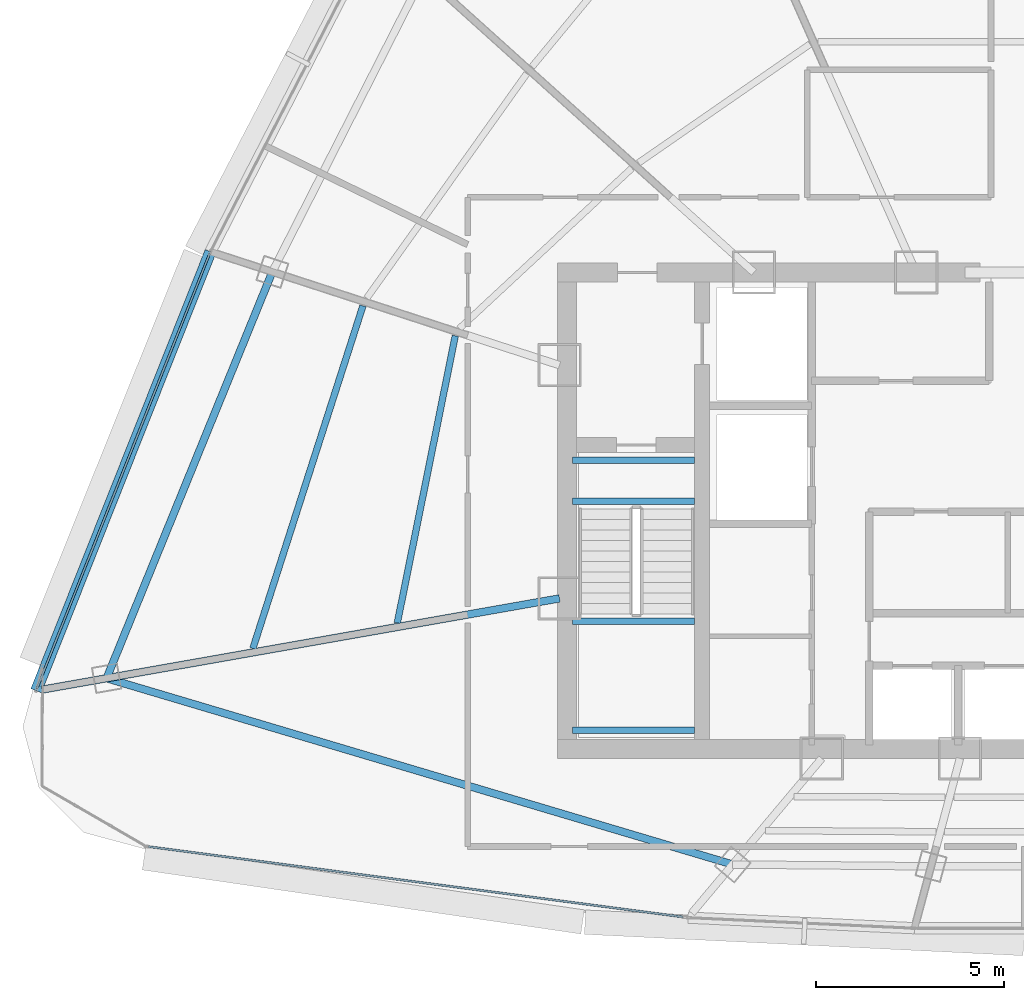
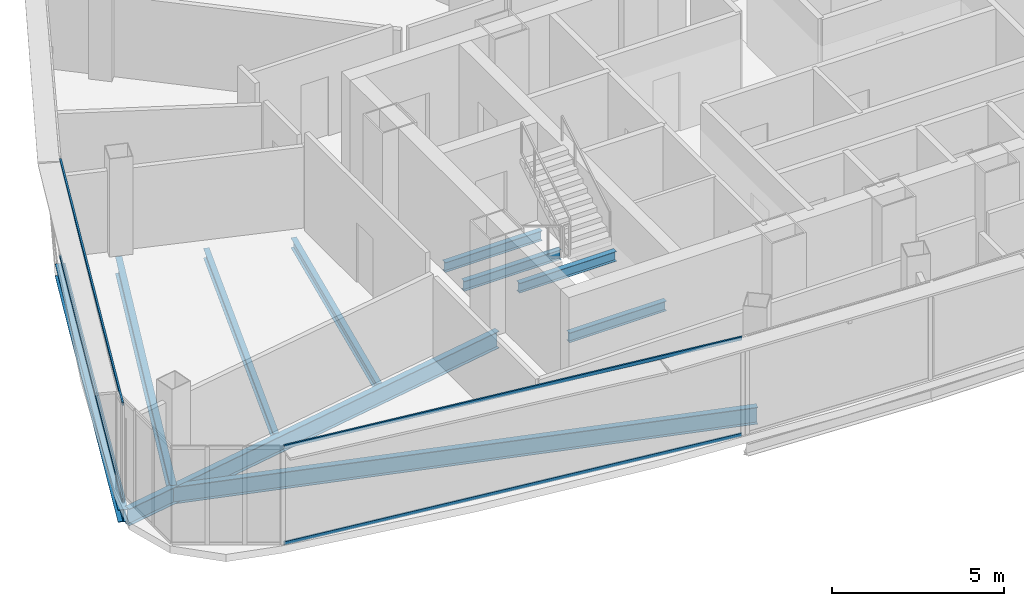
# One storey, part 3 of 29: 10 beams, 4 members, 2 elements without a shape of their own.
"""IFC4 building model written with IfcOpenShell, lengths in metres."""

from ifc_helpers import new_model, si_unit, direction, frame, origin, origin_2d, place, context, subcontext, project, spatial, hollow_rectangle, i_section, extrude, source, transform, mapped, material, layer, layer_set, material_profile, profile_set, type_object, element, aggregate, save


model = new_model("IFC4")

# Units and contexts
model_context = context("Model", 3, precision=1e-05, world=origin(), true_north=direction((0.0, 1.0)))
body_context = subcontext(model_context, "Body", "Model", "MODEL_VIEW")
ifc_project = project(units=[si_unit("LENGTHUNIT", "METRE"), si_unit("AREAUNIT", "SQUARE_METRE"), si_unit("VOLUMEUNIT", "CUBIC_METRE"), si_unit("PLANEANGLEUNIT", "RADIAN"), si_unit("MASSUNIT", "GRAM", prefix="KILO"), si_unit("THERMODYNAMICTEMPERATUREUNIT", "KELVIN"), si_unit("POWERUNIT", "WATT")], contexts=[model_context])

# Site, building, storey
site_placement = place(None, origin())
site = spatial("IfcSite", under=ifc_project, at=site_placement, CompositionType="ELEMENT")
building_placement = place(site_placement, origin())
building = spatial("IfcBuilding", under=site, at=building_placement, Name="Yunzhuo Pagoda Commons", CompositionType="ELEMENT")
storey_placement = place(building_placement, frame((0.0, 0.0, 363.010009765625)))
storey = spatial("IfcBuildingStorey", under=building, at=storey_placement, Name="L91", CompositionType="ELEMENT", Elevation=363.010009765625)

# Beams
ifc_material_1 = material(Name="Structural steel Q355B", Category="steel")
ifc_material_profile_1 = material_profile(ifc_material_1, i_section(OverallWidth=0.175048828125, OverallDepth=0.35009765625, WebThickness=0.007080078125, FlangeThickness=0.010986328125, at=origin_2d()), Name="Structural steel Q355B")
ifc_profile_set_1 = profile_set([ifc_material_profile_1], Name="Structural steel Q355B")
beam_type_1 = type_object("IfcBeamType", Name="B-JS2 Joist HN 350x175x7x11", PredefinedType="JOIST", material=ifc_profile_set_1)
shared_shape_1 = source(origin(), body_context, "Body", "SweptSolid", [
    extrude(i_section(OverallWidth=0.175048828125, OverallDepth=0.35009765625, WebThickness=0.007080078125, FlangeThickness=0.010986328125, at=origin_2d()), origin(), (0.0, 0.0, 1.0), 3.25),
])
for number, where, z_axis, x_axis, name in (
    (1, (35.949951171875, 28.0, 1.5), (1.0, 0.0, 0.0), (0.0, 1.0, 0.0), "L91 ST1 landing support beam 97A"),
    (2, (35.949951171875, 30.89990234375, 1.5), (1.0, 0.0, 0.0), (0.0, 1.0, 0.0), "L91 ST1 landing support beam 97B"),
    (3, (35.949951171875, 34.10009765625, -0.375), (1.0, 0.0, 0.0), (0.0, 1.0, 0.0), "L91 ST1 landing support beam 195A"),
    (4, (35.949951171875, 35.199951171875, -0.375), (1.0, 0.0, 0.0), (0.0, 1.0, 0.0), "L91 ST1 landing support beam 195B"),
):
    element("IfcBeam", number, at=place(storey_placement, frame(where, z_axis=z_axis, x_axis=x_axis)), inside=storey, type_object=beam_type_1, Name=name, PredefinedType="JOIST", context=body_context, shape_type="MappedRepresentation", body=[
        mapped(shared_shape_1, transform((0.0, 0.0, 0.0), scale=1.0)),
    ])
ifc_material_profile_2 = material_profile(ifc_material_1, i_section(OverallWidth=0.199951171875, OverallDepth=0.60009765625, WebThickness=0.010986328125, FlangeThickness=0.01708984375, at=origin_2d()), Name="Structural steel Q355B")
ifc_profile_set_2 = profile_set([ifc_material_profile_2], Name="Structural steel Q355B")
beam_type_2 = type_object("IfcBeamType", Name="B-RG3 Beam HN 600x200x11x17", PredefinedType="BEAM", material=ifc_profile_set_2)
shared_shape_2 = source(origin(), body_context, "Body", "SweptSolid", [
    extrude(i_section(OverallWidth=0.199951171875, OverallDepth=0.60009765625, WebThickness=0.010986328125, FlangeThickness=0.01708984375, at=origin_2d()), origin(), (0.0, 0.0, 1.0), 17.407470703125),
])
beam_1_placement = place(storey_placement, frame((23.52978515625, 29.38525390625, -0.56005859375), z_axis=(0.958484984609, -0.285143006717, 0.0), x_axis=(0.285143006717, 0.958484984609, 0.0)))
element("IfcBeam", 5, at=beam_1_placement, inside=storey, type_object=beam_type_2, Name="L91 column-ring beam 12", PredefinedType="BEAM", context=body_context, shape_type="MappedRepresentation", body=[
    mapped(shared_shape_2, transform((0.0, 0.0, 0.0), scale=1.0)),
])
shared_shape_3 = source(origin(), body_context, "Body", "SweptSolid", [
    extrude(i_section(OverallWidth=0.199951171875, OverallDepth=0.60009765625, WebThickness=0.010986328125, FlangeThickness=0.01708984375, at=origin_2d()), origin(), (0.0, 0.0, 1.0), 11.696533203125),
])
beam_2_placement = place(storey_placement, frame((27.946533203125, 40.2158203125, -0.56005859375), z_axis=(-0.377611800863, -0.925963999219, 0.0), x_axis=(0.925963999219, -0.377611800863, 0.0)))
element("IfcBeam", 6, at=beam_2_placement, inside=storey, type_object=beam_type_2, Name="L91 column-ring beam 11", PredefinedType="BEAM", context=body_context, shape_type="MappedRepresentation", body=[
    mapped(shared_shape_3, transform((0.0, 0.0, 0.0), scale=1.0)),
])
shared_shape_4 = source(origin(), body_context, "Body", "SweptSolid", [
    extrude(i_section(OverallWidth=0.175048828125, OverallDepth=0.35009765625, WebThickness=0.007080078125, FlangeThickness=0.010986328125, at=origin_2d()), origin(), (0.0, 0.0, 1.0), 7.8056640625),
])
beam_3_placement = place(storey_placement, frame((32.822265625, 38.511474609375, -0.43505859375), z_axis=(-0.197890187791, -0.980224195568, 0.0), x_axis=(0.980224195568, -0.197890187791, 0.0)))
element("IfcBeam", 7, at=beam_3_placement, inside=storey, type_object=beam_type_1, Name="L91 composite ring joist 1.11", PredefinedType="JOIST", context=body_context, shape_type="MappedRepresentation", body=[
    mapped(shared_shape_4, transform((0.0, 0.0, 0.0), scale=1.0)),
])
shared_shape_5 = source(origin(), body_context, "Body", "SweptSolid", [
    extrude(i_section(OverallWidth=0.175048828125, OverallDepth=0.35009765625, WebThickness=0.007080078125, FlangeThickness=0.010986328125, at=origin_2d()), origin(), (0.0, 0.0, 1.0), 9.593994140625),
])
beam_4_placement = place(storey_placement, frame((30.360595703125, 39.310546875, -0.43505859375), z_axis=(-0.305719218499, -0.952121714614, 0.0), x_axis=(0.952121714614, -0.305719218499, 0.0)))
element("IfcBeam", 8, at=beam_4_placement, inside=storey, type_object=beam_type_1, Name="L91 composite ring joist 2.11", PredefinedType="JOIST", context=body_context, shape_type="MappedRepresentation", body=[
    mapped(shared_shape_5, transform((0.0, 0.0, 0.0), scale=1.0)),
])
shared_shape_6 = source(origin(), body_context, "Body", "SweptSolid", [
    extrude(i_section(OverallWidth=0.199951171875, OverallDepth=0.60009765625, WebThickness=0.010986328125, FlangeThickness=0.01708984375, at=origin_2d()), origin(), (0.0, 0.0, 1.0), 14.009033203125),
])
beam_5_placement = place(storey_placement, frame((21.803955078125, 29.0810546875, -0.56005859375), z_axis=(0.984810915976, 0.17363023865, 0.0), x_axis=(-0.17363023865, 0.984810915976, 0.0)))
element("IfcBeam", 9, at=beam_5_placement, inside=storey, type_object=beam_type_2, Name="L91 radial floor girder F3C4", PredefinedType="BEAM", context=body_context, shape_type="MappedRepresentation", body=[
    mapped(shared_shape_6, transform((0.0, 0.0, 0.0), scale=1.0)),
])
ifc_material_profile_3 = material_profile(ifc_material_1, i_section(OverallWidth=0.300048828125, OverallDepth=0.43994140625, WebThickness=0.010986328125, FlangeThickness=0.01806640625, at=origin_2d()), Name="Structural steel Q355B")
ifc_profile_set_3 = profile_set([ifc_material_profile_3], Name="Structural steel Q355B")
beam_type_3 = type_object("IfcBeamType", Name="B-SP2 Beam HM 440x300x11x18", PredefinedType="BEAM", material=ifc_profile_set_3)
shared_shape_7 = source(origin(), body_context, "Body", "SweptSolid", [
    extrude(i_section(OverallWidth=0.300048828125, OverallDepth=0.43994140625, WebThickness=0.010986328125, FlangeThickness=0.01806640625, at=origin_2d()), origin(), (0.0, 0.0, 1.0), 12.58642578125),
])
beam_6_placement = place(storey_placement, frame((26.29541015625, 40.752197265625, -0.47998046875), z_axis=(-0.368974795252, -0.929439401182, 0.0), x_axis=(0.929439401182, -0.368974795252, 0.0)))
element("IfcBeam", 10, at=beam_6_placement, inside=storey, type_object=beam_type_3, Name="L91 facade edge spandrel beam F3.3", PredefinedType="BEAM", context=body_context, shape_type="MappedRepresentation", body=[
    mapped(shared_shape_7, transform((0.0, 0.0, 0.0), scale=1.0)),
])

# Curtain wall, members
ifc_material_2 = material(Name="Anodized aluminium 6063-T6", Category="aluminium")
ifc_layer = layer(ifc_material_2, 0.139892578125)
ifc_layer_set = layer_set([ifc_layer], Name="Anodized aluminium 6063-T6")
curtain_wall_type = type_object("IfcCurtainWallType", Name="CW-HI High-Zone Ribbon Curtain Wall", PredefinedType="NOTDEFINED", material=ifc_layer_set)
curtain_wall_1_placement = place(storey_placement, origin())
curtain_wall_1 = element("IfcCurtainWall", 11, at=curtain_wall_1_placement, inside=storey, type_object=curtain_wall_type, Name="L91 curtain wall CW-L91-F1B1", PredefinedType="NOTDEFINED")
ifc_material_profile_4 = material_profile(ifc_material_2, hollow_rectangle(XDim=0.054931640625, YDim=0.1201171875, WallThickness=0.00341796875, at=origin_2d()), Name="Anodized aluminium 6063-T6")
ifc_profile_set_4 = profile_set([ifc_material_profile_4], Name="Anodized aluminium 6063-T6")
member_type = type_object("IfcMemberType", Name="CW-HI-T Transom RHS 120x55x3.5", PredefinedType="USERDEFINED", material=ifc_profile_set_4)
shared_shape_8 = source(origin(), body_context, "Body", "SweptSolid", [
    extrude(hollow_rectangle(XDim=0.054931640625, YDim=0.1201171875, WallThickness=0.00341796875, at=origin_2d()), origin(), (0.0, 0.0, 1.0), 14.375244140625),
])
member_1_placement = place(storey_placement, frame((24.64013671875, 24.899169921875, 0.027587890625), z_axis=(0.991445911577, -0.130518214887, 0.0), x_axis=(0.130518214887, 0.991445911577, 0.0)))
member_1 = element("IfcMember", 12, at=member_1_placement, type_object=member_type, Name="CW transom 1.1", ObjectType="TRANSOM", PredefinedType="USERDEFINED", context=body_context, shape_type="MappedRepresentation", body=[
    mapped(shared_shape_8, transform((0.0, 0.0, 0.0), scale=1.0)),
])
member_2_placement = place(storey_placement, frame((24.64013671875, 24.899169921875, 3.4423828125), z_axis=(0.991445911577, -0.130518214887, 0.0), x_axis=(0.130518214887, 0.991445911577, 0.0)))
member_2 = element("IfcMember", 13, at=member_2_placement, type_object=member_type, Name="CW transom 1.2", ObjectType="TRANSOM", PredefinedType="USERDEFINED", context=body_context, shape_type="MappedRepresentation", body=[
    mapped(shared_shape_8, transform((0.0, 0.0, 0.0), scale=1.0)),
])
aggregate(curtain_wall_1, [member_1, member_2])

curtain_wall_2_placement = place(storey_placement, origin())
curtain_wall_2 = element("IfcCurtainWall", 14, at=curtain_wall_2_placement, inside=storey, type_object=curtain_wall_type, Name="L91 curtain wall CW-L91-F3B4", PredefinedType="NOTDEFINED")
shared_shape_9 = source(origin(), body_context, "Body", "SweptSolid", [
    extrude(hollow_rectangle(XDim=0.054931640625, YDim=0.1201171875, WallThickness=0.00341796875, at=origin_2d()), origin(), (0.0, 0.0, 1.0), 12.46630859375),
])
member_3_placement = place(storey_placement, frame((26.273193359375, 40.696533203125, 0.027587890625), z_axis=(-0.368965029907, -0.929443277831, 0.0), x_axis=(0.929443277831, -0.368965029907, 0.0)))
member_3 = element("IfcMember", 15, at=member_3_placement, type_object=member_type, Name="CW transom 1.1", ObjectType="TRANSOM", PredefinedType="USERDEFINED", context=body_context, shape_type="MappedRepresentation", body=[
    mapped(shared_shape_9, transform((0.0, 0.0, 0.0), scale=1.0)),
])
member_4_placement = place(storey_placement, frame((26.273193359375, 40.696533203125, 3.4423828125), z_axis=(-0.368965029907, -0.929443277831, 0.0), x_axis=(0.929443277831, -0.368965029907, 0.0)))
member_4 = element("IfcMember", 16, at=member_4_placement, type_object=member_type, Name="CW transom 1.2", ObjectType="TRANSOM", PredefinedType="USERDEFINED", context=body_context, shape_type="MappedRepresentation", body=[
    mapped(shared_shape_9, transform((0.0, 0.0, 0.0), scale=1.0)),
])
aggregate(curtain_wall_2, [member_3, member_4])

save(model, "model.ifc")
